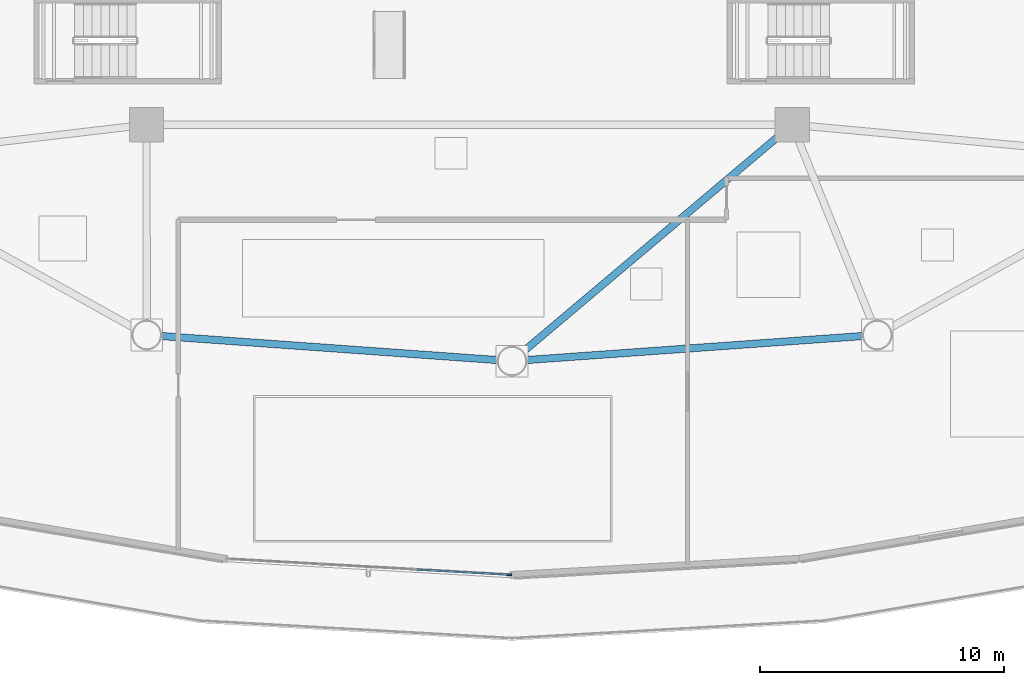
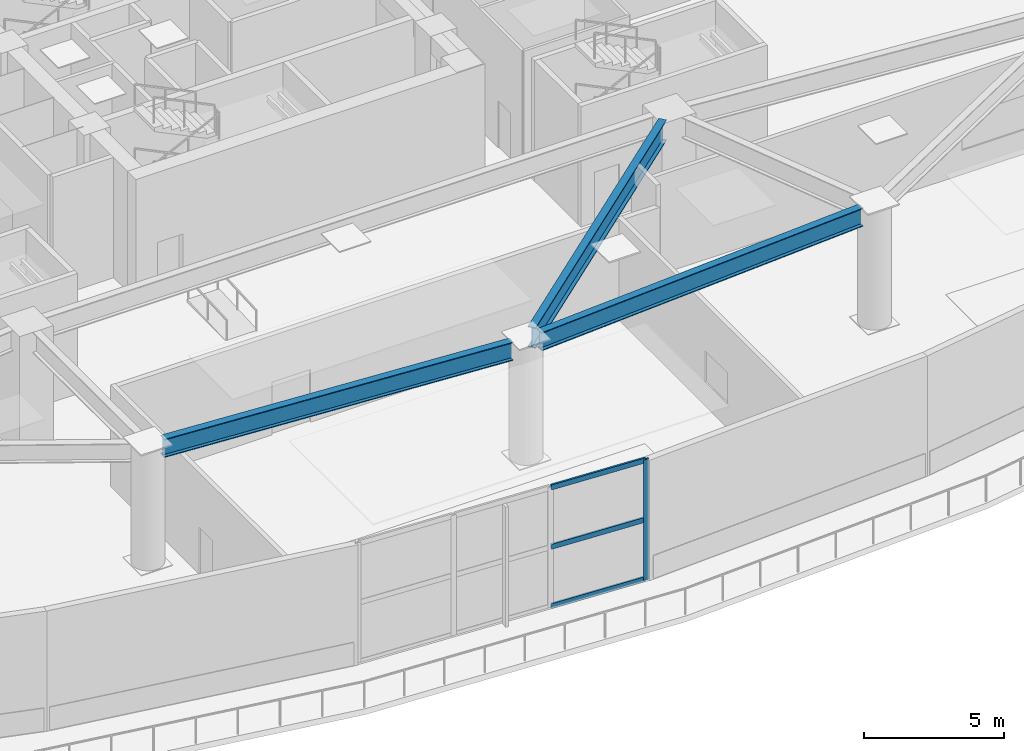
# One storey, part 3 of 26: 4 members, 3 beams, 1 element without a shape of its own.
"""IFC4 building model written with IfcOpenShell, lengths in metres."""

from ifc_helpers import new_model, si_unit, direction, frame, origin, origin_2d, place, context, subcontext, project, spatial, hollow_rectangle, i_section, extrude, source, transform, mapped, material, layer, layer_set, material_profile, profile_set, type_object, type_shapes, element, aggregate, save


model = new_model("IFC4")

# Units and contexts
model_context = context("Model", 3, precision=1e-05, world=origin(), true_north=direction((0.0, 1.0)))
body_context = subcontext(model_context, "Body", "Model", "MODEL_VIEW")
ifc_project = project(units=[si_unit("LENGTHUNIT", "METRE"), si_unit("AREAUNIT", "SQUARE_METRE"), si_unit("VOLUMEUNIT", "CUBIC_METRE"), si_unit("PLANEANGLEUNIT", "RADIAN"), si_unit("MASSUNIT", "GRAM", prefix="KILO")], contexts=[model_context])

# Site, building, storey
site_placement = place(None, origin())
site = spatial("IfcSite", under=ifc_project, at=site_placement, CompositionType="ELEMENT")
building_placement = place(site_placement, origin())
building = spatial("IfcBuilding", under=site, at=building_placement, Name="Tavelor Broadcast Tower", CompositionType="ELEMENT")
storey_placement = place(building_placement, frame((0.0, 0.0, 5.800048828125)))
storey = spatial("IfcBuildingStorey", under=building, at=storey_placement, Name="L01", CompositionType="ELEMENT", Elevation=5.800048828125)

# Beams
ifc_material_1 = material(Name="Steel S355", Category="steel")
ifc_material_profile_1 = material_profile(ifc_material_1, i_section(OverallWidth=0.300048828125, OverallDepth=0.800048828125, WebThickness=0.017578125, FlangeThickness=0.032958984375, at=origin_2d()), Name="HEB 800")
ifc_profile_set_1 = profile_set([ifc_material_profile_1], Name="Steel S355")
beam_type_1 = type_object("IfcBeamType", Name="Podium Spandrel Beam HEB800", PredefinedType="SPANDREL", material=ifc_profile_set_1)
for number, where, z_axis, x_axis, name in (
    (1, (35.590576171875, 23.82958984375, 4.849853515625), (0.997456822591, -0.07127332647, 0.0), (0.07127332647, 0.997456822591, 0.0), "L01 Podium Spandrel Girder 6"),
    (2, (50.57861328125, 22.84130859375, 4.849853515625), (0.997456822591, 0.07127332647, 0.0), (-0.07127332647, 0.997456822591, 0.0), "L01 Podium Spandrel Girder 7"),
):
    element("IfcBeam", number, at=place(storey_placement, frame(where, z_axis=z_axis, x_axis=x_axis)), inside=storey, type_object=beam_type_1, Name=name, PredefinedType="SPANDREL", context=body_context, shape_type="SweptSolid", body=[
        extrude(i_section(OverallWidth=0.300048828125, OverallDepth=0.800048828125, WebThickness=0.017578125, FlangeThickness=0.032958984375, at=origin_2d()), origin(), (0.0, 0.0, 1.0), 13.865966796875),
    ])
ifc_material_2 = material(Name="Steel S460", Category="steel")
ifc_material_profile_2 = material_profile(ifc_material_2, i_section(OverallWidth=0.300048828125, OverallDepth=0.89990234375, WebThickness=0.0185546875, FlangeThickness=0.034912109375, at=origin_2d()), Name="HEB 900")
ifc_profile_set_2 = profile_set([ifc_material_profile_2], Name="Steel S460")
beam_type_2 = type_object("IfcBeamType", Name="Studio Long-Span Girder HEB900", PredefinedType="BEAM", material=ifc_profile_set_2)
beam_placement = place(storey_placement, frame((60.980224609375, 32.0615234375, 4.800048828125), z_axis=(-0.764399771003, -0.644742576608, 0.0), x_axis=(0.644742576608, -0.764399771003, 0.0)))
element("IfcBeam", 3, at=beam_placement, inside=storey, type_object=beam_type_2, Name="L01 Clear-Span Studio Girder 7", PredefinedType="BEAM", context=body_context, shape_type="SweptSolid", body=[
    extrude(i_section(OverallWidth=0.300048828125, OverallDepth=0.89990234375, WebThickness=0.0185546875, FlangeThickness=0.034912109375, at=origin_2d()), origin(), (0.0, 0.0, 1.0), 13.784423828125),
])

# Curtain wall, members
ifc_material_3 = material(Name="Architectural Anodized Aluminium", Category="aluminium")
ifc_layer = layer(ifc_material_3, 0.219970703125)
ifc_layer_set = layer_set([ifc_layer], Name="Architectural Anodized Aluminium")
curtain_wall_type = type_object("IfcCurtainWallType", Name="Podium Double-Height Broadcast Curtain Wall CW01", PredefinedType="NOTDEFINED", material=ifc_layer_set)
curtain_wall_placement = place(storey_placement, origin())
curtain_wall = element("IfcCurtainWall", 4, at=curtain_wall_placement, inside=storey, type_object=curtain_wall_type, Name="L01 Curtain Wall CW01 Run 3", PredefinedType="NOTDEFINED")
ifc_material_profile_3 = material_profile(ifc_material_3, hollow_rectangle(XDim=0.074951171875, YDim=0.219970703125, WallThickness=0.02197265625, at=origin_2d()), Name="RHS 75x220x22")
ifc_profile_set_3 = profile_set([ifc_material_profile_3], Name="Architectural Anodized Aluminium")
member_type_1 = type_object("IfcMemberType", Name="CW01 Extruded Aluminium Mullion 75x220", PredefinedType="MULLION", material=ifc_profile_set_3)
shared_shape_1 = source(origin(), body_context, "Body", "SweptSolid", [
    extrude(hollow_rectangle(XDim=0.074951171875, YDim=0.219970703125, WallThickness=0.02197265625, at=origin_2d()), origin(), (0.0, 0.0, 1.0), 5.25),
])
type_shapes(member_type_1, [shared_shape_1])
member_1_placement = place(storey_placement, frame((49.882568359375, 14.034423828125, 0.0), z_axis=(0.0, 0.0, 1.0), x_axis=(0.056102607872, 0.998425008396, 0.0)))
member_1 = element("IfcMember", 5, at=member_1_placement, type_object=member_type_1, Name="CW01 mullion 4", PredefinedType="MULLION", context=body_context, shape_type="MappedRepresentation", body=[
    mapped(shared_shape_1, transform((0.0, 0.0, 0.0), scale=1.0)),
])
ifc_material_profile_4 = material_profile(ifc_material_3, hollow_rectangle(XDim=0.074951171875, YDim=0.219970703125, WallThickness=0.02197265625, at=origin_2d()), Name="RHS 75x220x22")
ifc_profile_set_4 = profile_set([ifc_material_profile_4], Name="Architectural Anodized Aluminium")
member_type_2 = type_object("IfcMemberType", Name="CW01 Extruded Aluminium Transom 75x220", PredefinedType="USERDEFINED", material=ifc_profile_set_4)
shared_shape_2 = source(origin(), body_context, "Body", "SweptSolid", [
    extrude(hollow_rectangle(XDim=0.074951171875, YDim=0.219970703125, WallThickness=0.02197265625, at=origin_2d()), origin(), (0.0, 0.0, 1.0), 3.760009765625),
])
type_shapes(member_type_2, [shared_shape_2])
member_2_placement = place(storey_placement, frame((46.091064453125, 14.247314453125, 0.037353515625), z_axis=(0.998425192691, -0.056099327989, 0.0), x_axis=(0.056099327989, 0.998425192691, 0.0)))
member_2 = element("IfcMember", 6, at=member_2_placement, type_object=member_type_2, Name="CW01 transom 3.1", ObjectType="TRANSOM", PredefinedType="USERDEFINED", context=body_context, shape_type="MappedRepresentation", body=[
    mapped(shared_shape_2, transform((0.0, 0.0, 0.0), scale=1.0)),
])
member_3_placement = place(storey_placement, frame((46.091064453125, 14.247314453125, 2.625), z_axis=(0.998425192691, -0.056099327989, 0.0), x_axis=(0.056099327989, 0.998425192691, 0.0)))
member_3 = element("IfcMember", 7, at=member_3_placement, type_object=member_type_2, Name="CW01 transom 3.2", ObjectType="TRANSOM", PredefinedType="USERDEFINED", context=body_context, shape_type="MappedRepresentation", body=[
    mapped(shared_shape_2, transform((0.0, 0.0, 0.0), scale=1.0)),
])
member_4_placement = place(storey_placement, frame((46.091064453125, 14.247314453125, 5.21240234375), z_axis=(0.998425192691, -0.056099327989, 0.0), x_axis=(0.056099327989, 0.998425192691, 0.0)))
member_4 = element("IfcMember", 8, at=member_4_placement, type_object=member_type_2, Name="CW01 transom 3.3", ObjectType="TRANSOM", PredefinedType="USERDEFINED", context=body_context, shape_type="MappedRepresentation", body=[
    mapped(shared_shape_2, transform((0.0, 0.0, 0.0), scale=1.0)),
])
aggregate(curtain_wall, [member_1, member_2, member_3, member_4])

save(model, "model.ifc")
